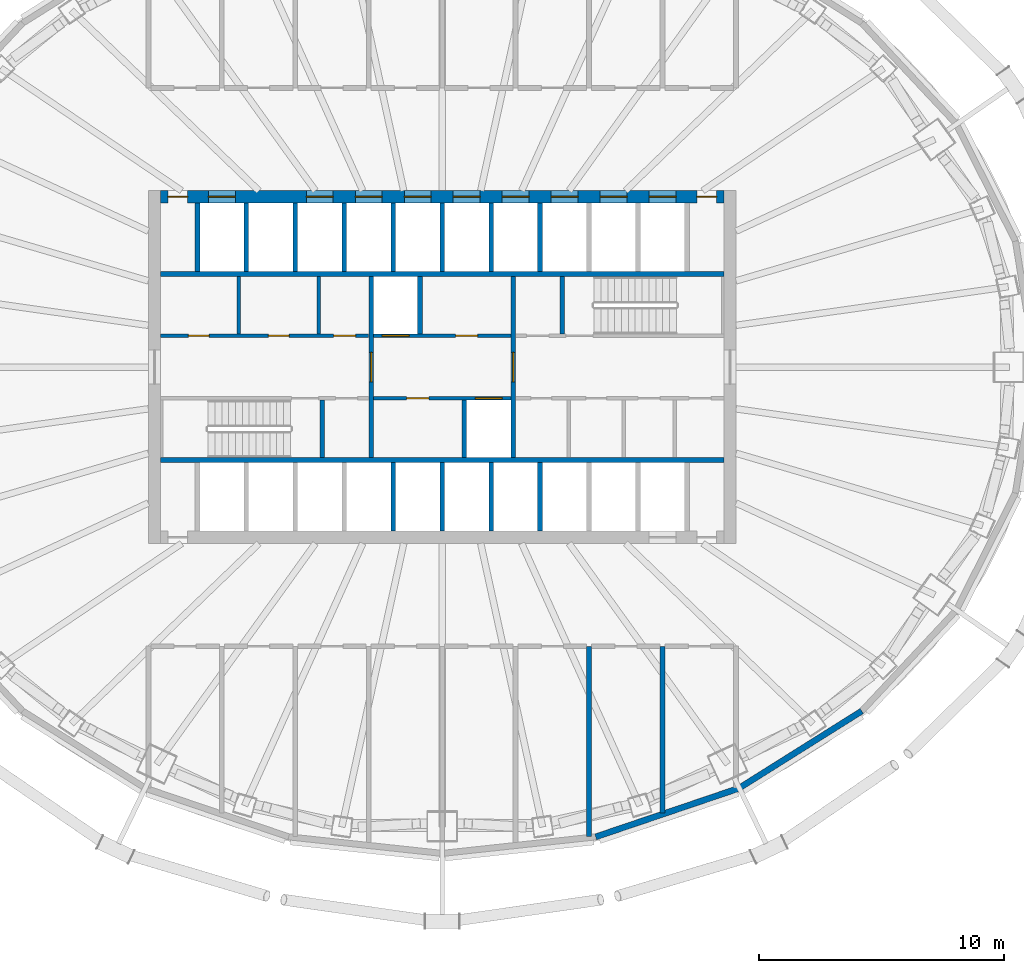
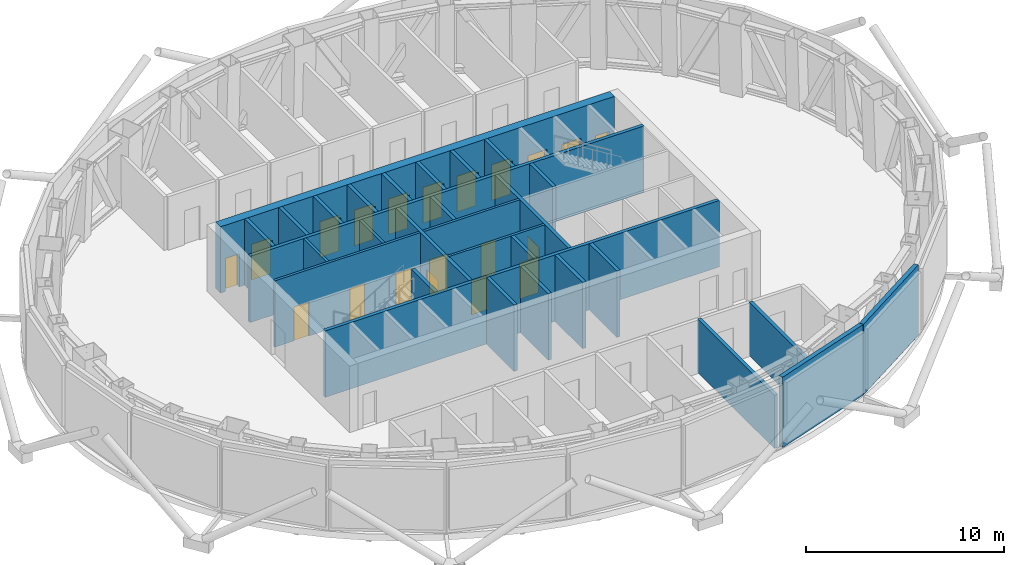
# One storey, part 6 of 16: 30 walls, 20 doors, 20 openings.
"""IFC4 building model written with IfcOpenShell, lengths in metres."""

from ifc_helpers import new_model, si_unit, direction, frame, frame_2d, origin, place, context, subcontext, project, spatial, rectangle, extrude, material, layer, layer_set, type_object, element, fill, save


model = new_model("IFC4")

# Units and contexts
model_context = context("Model", 3, precision=1e-05, world=origin(), true_north=direction((0.0, 1.0)))
body_context = subcontext(model_context, "Body", "Model", "MODEL_VIEW")
ifc_project = project(units=[si_unit("LENGTHUNIT", "METRE"), si_unit("AREAUNIT", "SQUARE_METRE"), si_unit("VOLUMEUNIT", "CUBIC_METRE"), si_unit("PLANEANGLEUNIT", "RADIAN"), si_unit("MASSUNIT", "GRAM", prefix="KILO")], contexts=[model_context])

# Site, building, storey
site_placement = place(None, origin())
site = spatial("IfcSite", under=ifc_project, at=site_placement, CompositionType="ELEMENT")
building_placement = place(site_placement, origin())
building = spatial("IfcBuilding", under=site, at=building_placement, Name="Siaravel Broadcast Tower", CompositionType="ELEMENT")
storey_placement = place(building_placement, frame((0.0, 0.0, 152.60009765625)))
storey = spatial("IfcBuildingStorey", under=building, at=storey_placement, Name="L36", CompositionType="ELEMENT", Elevation=152.60009765625)

# Walls
ifc_material_1 = material(Name="Concrete blockwork", Category="masonry")
ifc_layer_1 = layer(ifc_material_1, 0.14990234375)
ifc_layer_set_1 = layer_set([ifc_layer_1], Name="Concrete blockwork")
wall_type_1 = type_object("IfcWallType", Name="Core partition 150", PredefinedType="PARTITIONING", material=ifc_layer_set_1)
for number, where, z_axis, x_axis, name in (
    (1, (-8.30908203125, 1.35009765625, 0.0), (0.0, 0.0, 1.0), (0.0, 1.0, 0.0), "L36 core partition PNW0"),
    (2, (-5.04296875, 1.35009765625, 0.0), (0.0, 0.0, 1.0), (0.0, 1.0, 0.0), "L36 core partition PNW1"),
):
    element("IfcWall", number, at=place(storey_placement, frame(where, z_axis=z_axis, x_axis=x_axis)), inside=storey, type_object=wall_type_1, Name=name, PredefinedType="PARTITIONING", context=body_context, shape_type="SweptSolid", body=[
        extrude(rectangle(XDim=2.349853515625, YDim=0.14990234375, at=frame_2d((1.1748046875, 0.0))), origin(), (0.0, 0.0, 1.0), 4.099853515625),
    ])

# Wall, openings, doors
ifc_material_2 = material(Name="Concrete C60/75", Category="concrete")
ifc_layer_2 = layer(ifc_material_2, 0.5)
ifc_layer_set_2 = layer_set([ifc_layer_2], Name="Concrete C60/75")
wall_type_2 = type_object("IfcWallType", Name="Core wall 500", PredefinedType="SHEAR", material=ifc_layer_set_2)
wall_1_placement = place(storey_placement, frame((-11.5, 6.949951171875, 0.0), z_axis=(0.0, 0.0, 1.0), x_axis=(1.0, 0.0, 0.0)))
wall_1 = element("IfcWall", 3, at=wall_1_placement, inside=storey, type_object=wall_type_2, Name="L36 core wall ON", PredefinedType="SHEAR", context=body_context, shape_type="SweptSolid", body=[
    extrude(rectangle(XDim=23.0, YDim=0.5, at=frame_2d((11.5, 0.0))), origin(), (0.0, 0.0, 1.0), 4.099853515625),
])
opening_1_placement = place(wall_1_placement, frame((1.949951171875, 0.0, 0.0)))
opening_1 = element("IfcOpeningElement", 4, at=opening_1_placement, cuts=wall_1, Name="Opening LD-SV2-L36", PredefinedType="OPENING", context=body_context, shape_type="SweptSolid", body=[
    extrude(rectangle(XDim=1.10009765625, YDim=2.199951171875, at=frame_2d((0.550048828125, 1.10009765625))), frame((0.0, 0.260009765625, 0.0), z_axis=(0.0, -1.0, 0.0), x_axis=(1.0, 0.0, 0.0)), (0.0, 0.0, 1.0), 0.52001953125),
])
opening_2_placement = place(wall_1_placement, frame((5.949951171875, 0.0, 0.0)))
opening_2 = element("IfcOpeningElement", 5, at=opening_2_placement, cuts=wall_1, Name="Opening LD-HP1-L36", PredefinedType="OPENING", context=body_context, shape_type="SweptSolid", body=[
    extrude(rectangle(XDim=1.10009765625, YDim=2.199951171875, at=frame_2d((0.550048828125, 1.10009765625))), frame((0.0, 0.260009765625, 0.0), z_axis=(0.0, -1.0, 0.0), x_axis=(1.0, 0.0, 0.0)), (0.0, 0.0, 1.0), 0.52001953125),
])
opening_3_placement = place(wall_1_placement, frame((7.949951171875, 0.0, 0.0)))
opening_3 = element("IfcOpeningElement", 6, at=opening_3_placement, cuts=wall_1, Name="Opening LD-HP2-L36", PredefinedType="OPENING", context=body_context, shape_type="SweptSolid", body=[
    extrude(rectangle(XDim=1.10009765625, YDim=2.199951171875, at=frame_2d((0.550048828125, 1.10009765625))), frame((0.0, 0.260009765625, 0.0), z_axis=(0.0, -1.0, 0.0), x_axis=(1.0, 0.0, 0.0)), (0.0, 0.0, 1.0), 0.52001953125),
])
opening_4_placement = place(wall_1_placement, frame((9.949951171875, 0.0, 0.0)))
opening_4 = element("IfcOpeningElement", 7, at=opening_4_placement, cuts=wall_1, Name="Opening LD-HP3-L36", PredefinedType="OPENING", context=body_context, shape_type="SweptSolid", body=[
    extrude(rectangle(XDim=1.10009765625, YDim=2.199951171875, at=frame_2d((0.550048828125, 1.10009765625))), frame((0.0, 0.260009765625, 0.0), z_axis=(0.0, -1.0, 0.0), x_axis=(1.0, 0.0, 0.0)), (0.0, 0.0, 1.0), 0.52001953125),
])
opening_5_placement = place(wall_1_placement, frame((11.949951171875, 0.0, 0.0)))
opening_5 = element("IfcOpeningElement", 8, at=opening_5_placement, cuts=wall_1, Name="Opening LD-HP4-L36", PredefinedType="OPENING", context=body_context, shape_type="SweptSolid", body=[
    extrude(rectangle(XDim=1.10009765625, YDim=2.199951171875, at=frame_2d((0.550048828125, 1.10009765625))), frame((0.0, 0.260009765625, 0.0), z_axis=(0.0, -1.0, 0.0), x_axis=(1.0, 0.0, 0.0)), (0.0, 0.0, 1.0), 0.52001953125),
])
opening_6_placement = place(wall_1_placement, frame((13.949951171875, 0.0, 0.0)))
opening_6 = element("IfcOpeningElement", 9, at=opening_6_placement, cuts=wall_1, Name="Opening LD-HP5-L36", PredefinedType="OPENING", context=body_context, shape_type="SweptSolid", body=[
    extrude(rectangle(XDim=1.10009765625, YDim=2.199951171875, at=frame_2d((0.550048828125, 1.10009765625))), frame((0.0, 0.260009765625, 0.0), z_axis=(0.0, -1.0, 0.0), x_axis=(1.0, 0.0, 0.0)), (0.0, 0.0, 1.0), 0.52001953125),
])
opening_7_placement = place(wall_1_placement, frame((15.949951171875, 0.0, 0.0)))
opening_7 = element("IfcOpeningElement", 10, at=opening_7_placement, cuts=wall_1, Name="Opening LD-HP6-L36", PredefinedType="OPENING", context=body_context, shape_type="SweptSolid", body=[
    extrude(rectangle(XDim=1.10009765625, YDim=2.199951171875, at=frame_2d((0.550048828125, 1.10009765625))), frame((0.0, 0.260009765625, 0.0), z_axis=(0.0, -1.0, 0.0), x_axis=(1.0, 0.0, 0.0)), (0.0, 0.0, 1.0), 0.52001953125),
])
opening_8_placement = place(wall_1_placement, frame((17.949951171875, 0.0, 0.0)))
opening_8 = element("IfcOpeningElement", 11, at=opening_8_placement, cuts=wall_1, Name="Opening LD-HP7-L36", PredefinedType="OPENING", context=body_context, shape_type="SweptSolid", body=[
    extrude(rectangle(XDim=1.10009765625, YDim=2.199951171875, at=frame_2d((0.550048828125, 1.10009765625))), frame((0.0, 0.260009765625, 0.0), z_axis=(0.0, -1.0, 0.0), x_axis=(1.0, 0.0, 0.0)), (0.0, 0.0, 1.0), 0.52001953125),
])
opening_9_placement = place(wall_1_placement, frame((19.949951171875, 0.0, 0.0)))
opening_9 = element("IfcOpeningElement", 12, at=opening_9_placement, cuts=wall_1, Name="Opening LD-HP8-L36", PredefinedType="OPENING", context=body_context, shape_type="SweptSolid", body=[
    extrude(rectangle(XDim=1.10009765625, YDim=2.199951171875, at=frame_2d((0.550048828125, 1.10009765625))), frame((0.0, 0.260009765625, 0.0), z_axis=(0.0, -1.0, 0.0), x_axis=(1.0, 0.0, 0.0)), (0.0, 0.0, 1.0), 0.52001953125),
])
opening_10_placement = place(wall_1_placement, frame((0.300048828125, 0.0, 0.0)))
opening_10 = element("IfcOpeningElement", 13, at=opening_10_placement, cuts=wall_1, Name="Opening L36-DRNW", PredefinedType="OPENING", context=body_context, shape_type="SweptSolid", body=[
    extrude(rectangle(XDim=0.800048828125, YDim=2.050048828125, at=frame_2d((0.39990234375, 1.02490234375))), frame((0.0, 0.260009765625, 0.0), z_axis=(0.0, -1.0, 0.0), x_axis=(1.0, 0.0, 0.0)), (0.0, 0.0, 1.0), 0.52001953125),
])
opening_11_placement = place(wall_1_placement, frame((21.89990234375, 0.0, 0.0)))
opening_11 = element("IfcOpeningElement", 14, at=opening_11_placement, cuts=wall_1, Name="Opening L36-DRNE", PredefinedType="OPENING", context=body_context, shape_type="SweptSolid", body=[
    extrude(rectangle(XDim=0.800048828125, YDim=2.050048828125, at=frame_2d((0.39990234375, 1.02490234375))), frame((0.0, 0.260009765625, 0.0), z_axis=(0.0, -1.0, 0.0), x_axis=(1.0, 0.0, 0.0)), (0.0, 0.0, 1.0), 0.52001953125),
])
ifc_material_3 = material(Name="Stainless steel 316L", Category="steel")
door_type_1 = type_object("IfcDoorType", Name="Lift landing door 1100", OperationType="DOUBLE_DOOR_SLIDING", PredefinedType="DOOR", material=ifc_material_3)
door_1_placement = place(opening_2_placement, origin())
door_1 = element("IfcDoor", 15, at=door_1_placement, inside=storey, type_object=door_type_1, Name="Landing door HP1 L36", OperationType="DOUBLE_DOOR_SLIDING", OverallHeight=2.199951171875, OverallWidth=1.10009765625, PredefinedType="DOOR", context=body_context, shape_type="SweptSolid", body=[
    extrude(rectangle(XDim=1.10009765625, YDim=2.199951171875, at=frame_2d((0.550048828125, 1.10009765625))), frame((0.0, 0.02490234375, 0.0), z_axis=(0.0, -1.0, 0.0), x_axis=(1.0, 0.0, 0.0)), (0.0, 0.0, 1.0), 0.050048828125),
])
fill(opening_2, door_1)
door_2_placement = place(opening_3_placement, origin())
door_2 = element("IfcDoor", 16, at=door_2_placement, inside=storey, type_object=door_type_1, Name="Landing door HP2 L36", OperationType="DOUBLE_DOOR_SLIDING", OverallHeight=2.199951171875, OverallWidth=1.10009765625, PredefinedType="DOOR", context=body_context, shape_type="SweptSolid", body=[
    extrude(rectangle(XDim=1.10009765625, YDim=2.199951171875, at=frame_2d((0.550048828125, 1.10009765625))), frame((0.0, 0.02490234375, 0.0), z_axis=(0.0, -1.0, 0.0), x_axis=(1.0, 0.0, 0.0)), (0.0, 0.0, 1.0), 0.050048828125),
])
fill(opening_3, door_2)
door_3_placement = place(opening_4_placement, origin())
door_3 = element("IfcDoor", 17, at=door_3_placement, inside=storey, type_object=door_type_1, Name="Landing door HP3 L36", OperationType="DOUBLE_DOOR_SLIDING", OverallHeight=2.199951171875, OverallWidth=1.10009765625, PredefinedType="DOOR", context=body_context, shape_type="SweptSolid", body=[
    extrude(rectangle(XDim=1.10009765625, YDim=2.199951171875, at=frame_2d((0.550048828125, 1.10009765625))), frame((0.0, 0.02490234375, 0.0), z_axis=(0.0, -1.0, 0.0), x_axis=(1.0, 0.0, 0.0)), (0.0, 0.0, 1.0), 0.050048828125),
])
fill(opening_4, door_3)
door_4_placement = place(opening_5_placement, origin())
door_4 = element("IfcDoor", 18, at=door_4_placement, inside=storey, type_object=door_type_1, Name="Landing door HP4 L36", OperationType="DOUBLE_DOOR_SLIDING", OverallHeight=2.199951171875, OverallWidth=1.10009765625, PredefinedType="DOOR", context=body_context, shape_type="SweptSolid", body=[
    extrude(rectangle(XDim=1.10009765625, YDim=2.199951171875, at=frame_2d((0.550048828125, 1.10009765625))), frame((0.0, 0.02490234375, 0.0), z_axis=(0.0, -1.0, 0.0), x_axis=(1.0, 0.0, 0.0)), (0.0, 0.0, 1.0), 0.050048828125),
])
fill(opening_5, door_4)
door_5_placement = place(opening_6_placement, origin())
door_5 = element("IfcDoor", 19, at=door_5_placement, inside=storey, type_object=door_type_1, Name="Landing door HP5 L36", OperationType="DOUBLE_DOOR_SLIDING", OverallHeight=2.199951171875, OverallWidth=1.10009765625, PredefinedType="DOOR", context=body_context, shape_type="SweptSolid", body=[
    extrude(rectangle(XDim=1.10009765625, YDim=2.199951171875, at=frame_2d((0.550048828125, 1.10009765625))), frame((0.0, 0.02490234375, 0.0), z_axis=(0.0, -1.0, 0.0), x_axis=(1.0, 0.0, 0.0)), (0.0, 0.0, 1.0), 0.050048828125),
])
fill(opening_6, door_5)
door_6_placement = place(opening_7_placement, origin())
door_6 = element("IfcDoor", 20, at=door_6_placement, inside=storey, type_object=door_type_1, Name="Landing door HP6 L36", OperationType="DOUBLE_DOOR_SLIDING", OverallHeight=2.199951171875, OverallWidth=1.10009765625, PredefinedType="DOOR", context=body_context, shape_type="SweptSolid", body=[
    extrude(rectangle(XDim=1.10009765625, YDim=2.199951171875, at=frame_2d((0.550048828125, 1.10009765625))), frame((0.0, 0.02490234375, 0.0), z_axis=(0.0, -1.0, 0.0), x_axis=(1.0, 0.0, 0.0)), (0.0, 0.0, 1.0), 0.050048828125),
])
fill(opening_7, door_6)
door_7_placement = place(opening_8_placement, origin())
door_7 = element("IfcDoor", 21, at=door_7_placement, inside=storey, type_object=door_type_1, Name="Landing door HP7 L36", OperationType="DOUBLE_DOOR_SLIDING", OverallHeight=2.199951171875, OverallWidth=1.10009765625, PredefinedType="DOOR", context=body_context, shape_type="SweptSolid", body=[
    extrude(rectangle(XDim=1.10009765625, YDim=2.199951171875, at=frame_2d((0.550048828125, 1.10009765625))), frame((0.0, 0.02490234375, 0.0), z_axis=(0.0, -1.0, 0.0), x_axis=(1.0, 0.0, 0.0)), (0.0, 0.0, 1.0), 0.050048828125),
])
fill(opening_8, door_7)
door_8_placement = place(opening_9_placement, origin())
door_8 = element("IfcDoor", 22, at=door_8_placement, inside=storey, type_object=door_type_1, Name="Landing door HP8 L36", OperationType="DOUBLE_DOOR_SLIDING", OverallHeight=2.199951171875, OverallWidth=1.10009765625, PredefinedType="DOOR", context=body_context, shape_type="SweptSolid", body=[
    extrude(rectangle(XDim=1.10009765625, YDim=2.199951171875, at=frame_2d((0.550048828125, 1.10009765625))), frame((0.0, 0.02490234375, 0.0), z_axis=(0.0, -1.0, 0.0), x_axis=(1.0, 0.0, 0.0)), (0.0, 0.0, 1.0), 0.050048828125),
])
fill(opening_9, door_8)
ifc_material_4 = material(Name="Steel", Category="steel")
door_type_2 = type_object("IfcDoorType", Name="Riser door 800", OperationType="SINGLE_SWING_LEFT", PredefinedType="DOOR", material=ifc_material_4)
door_9_placement = place(opening_10_placement, origin())
door_9 = element("IfcDoor", 23, at=door_9_placement, inside=storey, type_object=door_type_2, Name="L36 door DRNW", OperationType="SINGLE_SWING_LEFT", OverallHeight=2.050048828125, OverallWidth=0.800048828125, PredefinedType="DOOR", context=body_context, shape_type="SweptSolid", body=[
    extrude(rectangle(XDim=0.800048828125, YDim=2.050048828125, at=frame_2d((0.39990234375, 1.02490234375))), frame((0.0, 0.02490234375, 0.0), z_axis=(0.0, -1.0, 0.0), x_axis=(1.0, 0.0, 0.0)), (0.0, 0.0, 1.0), 0.050048828125),
])
fill(opening_10, door_9)
door_10_placement = place(opening_11_placement, origin())
door_10 = element("IfcDoor", 24, at=door_10_placement, inside=storey, type_object=door_type_2, Name="L36 door DRNE", OperationType="SINGLE_SWING_LEFT", OverallHeight=2.050048828125, OverallWidth=0.800048828125, PredefinedType="DOOR", context=body_context, shape_type="SweptSolid", body=[
    extrude(rectangle(XDim=0.800048828125, YDim=2.050048828125, at=frame_2d((0.39990234375, 1.02490234375))), frame((0.0, 0.02490234375, 0.0), z_axis=(0.0, -1.0, 0.0), x_axis=(1.0, 0.0, 0.0)), (0.0, 0.0, 1.0), 0.050048828125),
])
fill(opening_11, door_10)
door_type_3 = type_object("IfcDoorType", Name="Service lift landing door 1100", OperationType="DOUBLE_DOOR_SLIDING", PredefinedType="DOOR", material=ifc_material_3)
door_11_placement = place(opening_1_placement, origin())
door_11 = element("IfcDoor", 25, at=door_11_placement, inside=storey, type_object=door_type_3, Name="Landing door SV2 L36", OperationType="DOUBLE_DOOR_SLIDING", OverallHeight=2.199951171875, OverallWidth=1.10009765625, PredefinedType="DOOR", context=body_context, shape_type="SweptSolid", body=[
    extrude(rectangle(XDim=1.10009765625, YDim=2.199951171875, at=frame_2d((0.550048828125, 1.10009765625))), frame((0.0, 0.02490234375, 0.0), z_axis=(0.0, -1.0, 0.0), x_axis=(1.0, 0.0, 0.0)), (0.0, 0.0, 1.0), 0.050048828125),
])
fill(opening_1, door_11)

ifc_material_5 = material(Name="Gypsum board partition", Category="gypsum")
ifc_layer_3 = layer(ifc_material_5, 0.14990234375)
ifc_layer_set_3 = layer_set([ifc_layer_3], Name="Gypsum board partition")
wall_type_3 = type_object("IfcWallType", Name="Corridor wall 150", PredefinedType="PARTITIONING", material=ifc_layer_set_3)
wall_2_placement = place(storey_placement, frame((-11.5, 1.27490234375, 0.0), z_axis=(0.0, 0.0, 1.0), x_axis=(1.0, 0.0, 0.0)))
wall_2 = element("IfcWall", 26, at=wall_2_placement, inside=storey, type_object=wall_type_3, Name="L36 core partition CNW", PredefinedType="PARTITIONING", context=body_context, shape_type="SweptSolid", body=[
    extrude(rectangle(XDim=8.5, YDim=0.14990234375, at=frame_2d((4.25, 0.0))), origin(), (0.0, 0.0, 1.0), 4.099853515625),
])
opening_12_placement = place(wall_2_placement, frame((1.133056640625, 0.0, 0.0)))
opening_12 = element("IfcOpeningElement", 27, at=opening_12_placement, cuts=wall_2, Name="Opening L36-DNW0", PredefinedType="OPENING", context=body_context, shape_type="SweptSolid", body=[
    extrude(rectangle(XDim=0.85009765625, YDim=2.10009765625, at=frame_2d((0.425048828125, 1.050048828125))), frame((0.0, 0.0849609375, 0.0), z_axis=(0.0, -1.0, 0.0), x_axis=(1.0, 0.0, 0.0)), (0.0, 0.0, 1.0), 0.169921875),
])
opening_13_placement = place(wall_2_placement, frame((4.39892578125, 0.0, 0.0)))
opening_13 = element("IfcOpeningElement", 28, at=opening_13_placement, cuts=wall_2, Name="Opening L36-DNW1", PredefinedType="OPENING", context=body_context, shape_type="SweptSolid", body=[
    extrude(rectangle(XDim=0.85009765625, YDim=2.10009765625, at=frame_2d((0.425048828125, 1.050048828125))), frame((0.0, 0.0849609375, 0.0), z_axis=(0.0, -1.0, 0.0), x_axis=(1.0, 0.0, 0.0)), (0.0, 0.0, 1.0), 0.169921875),
])
opening_14_placement = place(wall_2_placement, frame((7.06591796875, 0.0, 0.0)))
opening_14 = element("IfcOpeningElement", 29, at=opening_14_placement, cuts=wall_2, Name="Opening L36-DNW2", PredefinedType="OPENING", context=body_context, shape_type="SweptSolid", body=[
    extrude(rectangle(XDim=0.89990234375, YDim=2.10009765625, at=frame_2d((0.449951171875, 1.050048828125))), frame((0.0, 0.0849609375, 0.0), z_axis=(0.0, -1.0, 0.0), x_axis=(1.0, 0.0, 0.0)), (0.0, 0.0, 1.0), 0.169921875),
])
ifc_material_6 = material(Name="Timber veneer", Category="wood")
door_type_4 = type_object("IfcDoorType", Name="Core room door 900", OperationType="SINGLE_SWING_LEFT", PredefinedType="DOOR", material=ifc_material_6)
door_12_placement = place(opening_14_placement, origin())
door_12 = element("IfcDoor", 30, at=door_12_placement, inside=storey, type_object=door_type_4, Name="L36 door DNW2", OperationType="SINGLE_SWING_LEFT", OverallHeight=2.10009765625, OverallWidth=0.89990234375, PredefinedType="DOOR", context=body_context, shape_type="SweptSolid", body=[
    extrude(rectangle(XDim=0.89990234375, YDim=2.10009765625, at=frame_2d((0.449951171875, 1.050048828125))), frame((0.0, 0.02490234375, 0.0), z_axis=(0.0, -1.0, 0.0), x_axis=(1.0, 0.0, 0.0)), (0.0, 0.0, 1.0), 0.050048828125),
])
fill(opening_14, door_12)
door_type_5 = type_object("IfcDoorType", Name="Core toilet door 850", OperationType="SINGLE_SWING_LEFT", PredefinedType="DOOR", material=ifc_material_6)
door_13_placement = place(opening_12_placement, origin())
door_13 = element("IfcDoor", 31, at=door_13_placement, inside=storey, type_object=door_type_5, Name="L36 door DNW0", OperationType="SINGLE_SWING_LEFT", OverallHeight=2.10009765625, OverallWidth=0.85009765625, PredefinedType="DOOR", context=body_context, shape_type="SweptSolid", body=[
    extrude(rectangle(XDim=0.85009765625, YDim=2.10009765625, at=frame_2d((0.425048828125, 1.050048828125))), frame((0.0, 0.02490234375, 0.0), z_axis=(0.0, -1.0, 0.0), x_axis=(1.0, 0.0, 0.0)), (0.0, 0.0, 1.0), 0.050048828125),
])
fill(opening_12, door_13)
door_14_placement = place(opening_13_placement, origin())
door_14 = element("IfcDoor", 32, at=door_14_placement, inside=storey, type_object=door_type_5, Name="L36 door DNW1", OperationType="SINGLE_SWING_LEFT", OverallHeight=2.10009765625, OverallWidth=0.85009765625, PredefinedType="DOOR", context=body_context, shape_type="SweptSolid", body=[
    extrude(rectangle(XDim=0.85009765625, YDim=2.10009765625, at=frame_2d((0.425048828125, 1.050048828125))), frame((0.0, 0.02490234375, 0.0), z_axis=(0.0, -1.0, 0.0), x_axis=(1.0, 0.0, 0.0)), (0.0, 0.0, 1.0), 0.050048828125),
])
fill(opening_13, door_14)

# Walls
ifc_layer_4 = layer(ifc_material_1, 0.199951171875)
ifc_layer_set_4 = layer_set([ifc_layer_4], Name="Concrete blockwork")
wall_type_4 = type_object("IfcWallType", Name="Plant room wall 200", PredefinedType="PARTITIONING", material=ifc_layer_set_4)
wall_3_placement = place(storey_placement, frame((6.0, -19.161376953125, 0.0), z_axis=(0.0, 0.0, 1.0), x_axis=(0.0, 1.0, 0.0)))
element("IfcWall", 33, at=wall_3_placement, inside=storey, type_object=wall_type_4, Name="L36 partition 9", PredefinedType="PARTITIONING", context=body_context, shape_type="SweptSolid", body=[
    extrude(rectangle(XDim=7.761474609375, YDim=0.199951171875, at=frame_2d((3.880859375, 0.0))), origin(), (0.0, 0.0, 1.0), 3.2998046875),
])
wall_4_placement = place(storey_placement, frame((9.0, -18.205810546875, 0.0), z_axis=(0.0, 0.0, 1.0), x_axis=(0.0, 1.0, 0.0)))
element("IfcWall", 34, at=wall_4_placement, inside=storey, type_object=wall_type_4, Name="L36 partition 13", PredefinedType="PARTITIONING", context=body_context, shape_type="SweptSolid", body=[
    extrude(rectangle(XDim=6.805908203125, YDim=0.199951171875, at=frame_2d((3.40283203125, 0.0))), origin(), (0.0, 0.0, 1.0), 3.2998046875),
])
ifc_material_7 = material(Name="Concrete C40/50", Category="concrete")
ifc_layer_5 = layer(ifc_material_7, 0.25)
ifc_layer_set_5 = layer_set([ifc_layer_5], Name="Concrete C40/50")
wall_type_5 = type_object("IfcWallType", Name="Plant storey wall", PredefinedType="STANDARD", material=ifc_layer_set_5)
wall_5_placement = place(storey_placement, frame((6.269775390625, -19.182373046875, 0.0), z_axis=(0.0, 0.0, 1.0), x_axis=(0.946968166, 0.321327392, 0.0)))
element("IfcWall", 35, at=wall_5_placement, inside=storey, type_object=wall_type_5, Name="L36 plant storey wall 20", PredefinedType="STANDARD", context=body_context, shape_type="SweptSolid", body=[
    extrude(rectangle(XDim=6.170166015625, YDim=0.25, at=frame_2d((3.0849609375, 0.0))), origin(), (0.0, 0.0, 1.0), 4.349853515625),
])
wall_6_placement = place(storey_placement, frame((12.11279296875, -17.19970703125, 0.0), z_axis=(0.0, 0.0, 1.0), x_axis=(0.846665178, 0.532125996, 0.0)))
element("IfcWall", 36, at=wall_6_placement, inside=storey, type_object=wall_type_5, Name="L36 plant storey wall 21", PredefinedType="STANDARD", context=body_context, shape_type="SweptSolid", body=[
    extrude(rectangle(XDim=5.927734375, YDim=0.25, at=frame_2d((2.9638671875, 0.0))), origin(), (0.0, 0.0, 1.0), 4.349853515625),
])

# Wall, openings, doors
ifc_layer_6 = layer(ifc_material_2, 0.14990234375)
ifc_layer_set_6 = layer_set([ifc_layer_6], Name="Concrete C60/75")
wall_type_6 = type_object("IfcWallType", Name="Shaft wall 150", PredefinedType="SHEAR", material=ifc_layer_set_6)
wall_7_placement = place(storey_placement, frame((-2.800048828125, -1.27490234375, 0.0), z_axis=(0.0, 0.0, 1.0), x_axis=(1.0, 0.0, 0.0)))
wall_7 = element("IfcWall", 37, at=wall_7_placement, inside=storey, type_object=wall_type_6, Name="L36 core wall CSM", PredefinedType="SHEAR", context=body_context, shape_type="SweptSolid", body=[
    extrude(rectangle(XDim=5.60009765625, YDim=0.14990234375, at=frame_2d((2.800048828125, 0.0))), origin(), (0.0, 0.0, 1.0), 4.099853515625),
])
opening_15_placement = place(wall_7_placement, frame((4.14990234375, 0.0, 0.0)))
opening_15 = element("IfcOpeningElement", 38, at=opening_15_placement, cuts=wall_7, Name="Opening LD-FL2-L36", PredefinedType="OPENING", context=body_context, shape_type="SweptSolid", body=[
    extrude(rectangle(XDim=1.10009765625, YDim=2.199951171875, at=frame_2d((0.550048828125, 1.10009765625))), frame((0.0, 0.0849609375, 0.0), z_axis=(0.0, -1.0, 0.0), x_axis=(1.0, 0.0, 0.0)), (0.0, 0.0, 1.0), 0.169921875),
])
opening_16_placement = place(wall_7_placement, frame((1.35009765625, 0.0, 0.0)))
opening_16 = element("IfcOpeningElement", 39, at=opening_16_placement, cuts=wall_7, Name="Opening L36-DSM0", PredefinedType="OPENING", context=body_context, shape_type="SweptSolid", body=[
    extrude(rectangle(XDim=0.89990234375, YDim=2.10009765625, at=frame_2d((0.449951171875, 1.050048828125))), frame((0.0, 0.0849609375, 0.0), z_axis=(0.0, -1.0, 0.0), x_axis=(1.0, 0.0, 0.0)), (0.0, 0.0, 1.0), 0.169921875),
])
door_15_placement = place(opening_16_placement, origin())
door_15 = element("IfcDoor", 40, at=door_15_placement, inside=storey, type_object=door_type_4, Name="L36 door DSM0", OperationType="SINGLE_SWING_LEFT", OverallHeight=2.10009765625, OverallWidth=0.89990234375, PredefinedType="DOOR", context=body_context, shape_type="SweptSolid", body=[
    extrude(rectangle(XDim=0.89990234375, YDim=2.10009765625, at=frame_2d((0.449951171875, 1.050048828125))), frame((0.0, 0.02490234375, 0.0), z_axis=(0.0, -1.0, 0.0), x_axis=(1.0, 0.0, 0.0)), (0.0, 0.0, 1.0), 0.050048828125),
])
fill(opening_16, door_15)
door_type_6 = type_object("IfcDoorType", Name="Firefighting lift landing door 1100", OperationType="DOUBLE_DOOR_SLIDING", PredefinedType="DOOR", material=ifc_material_3)
door_16_placement = place(opening_15_placement, origin())
door_16 = element("IfcDoor", 41, at=door_16_placement, inside=storey, type_object=door_type_6, Name="Landing door FL2 L36", OperationType="DOUBLE_DOOR_SLIDING", OverallHeight=2.199951171875, OverallWidth=1.10009765625, PredefinedType="DOOR", context=body_context, shape_type="SweptSolid", body=[
    extrude(rectangle(XDim=1.10009765625, YDim=2.199951171875, at=frame_2d((0.550048828125, 1.10009765625))), frame((0.0, 0.02490234375, 0.0), z_axis=(0.0, -1.0, 0.0), x_axis=(1.0, 0.0, 0.0)), (0.0, 0.0, 1.0), 0.050048828125),
])
fill(opening_15, door_16)

wall_8_placement = place(storey_placement, frame((-2.800048828125, 1.27490234375, 0.0), z_axis=(0.0, 0.0, 1.0), x_axis=(1.0, 0.0, 0.0)))
wall_8 = element("IfcWall", 42, at=wall_8_placement, inside=storey, type_object=wall_type_6, Name="L36 core wall CNM", PredefinedType="SHEAR", context=body_context, shape_type="SweptSolid", body=[
    extrude(rectangle(XDim=5.60009765625, YDim=0.14990234375, at=frame_2d((2.800048828125, 0.0))), origin(), (0.0, 0.0, 1.0), 4.099853515625),
])
opening_17_placement = place(wall_8_placement, frame((0.35009765625, 0.0, 0.0)))
opening_17 = element("IfcOpeningElement", 43, at=opening_17_placement, cuts=wall_8, Name="Opening LD-FL1-L36", PredefinedType="OPENING", context=body_context, shape_type="SweptSolid", body=[
    extrude(rectangle(XDim=1.10009765625, YDim=2.199951171875, at=frame_2d((0.550048828125, 1.10009765625))), frame((0.0, 0.0849609375, 0.0), z_axis=(0.0, -1.0, 0.0), x_axis=(1.0, 0.0, 0.0)), (0.0, 0.0, 1.0), 0.169921875),
])
opening_18_placement = place(wall_8_placement, frame((3.35009765625, 0.0, 0.0)))
opening_18 = element("IfcOpeningElement", 44, at=opening_18_placement, cuts=wall_8, Name="Opening L36-DNM0", PredefinedType="OPENING", context=body_context, shape_type="SweptSolid", body=[
    extrude(rectangle(XDim=0.89990234375, YDim=2.10009765625, at=frame_2d((0.449951171875, 1.050048828125))), frame((0.0, 0.0849609375, 0.0), z_axis=(0.0, -1.0, 0.0), x_axis=(1.0, 0.0, 0.0)), (0.0, 0.0, 1.0), 0.169921875),
])
door_17_placement = place(opening_18_placement, origin())
door_17 = element("IfcDoor", 45, at=door_17_placement, inside=storey, type_object=door_type_4, Name="L36 door DNM0", OperationType="SINGLE_SWING_LEFT", OverallHeight=2.10009765625, OverallWidth=0.89990234375, PredefinedType="DOOR", context=body_context, shape_type="SweptSolid", body=[
    extrude(rectangle(XDim=0.89990234375, YDim=2.10009765625, at=frame_2d((0.449951171875, 1.050048828125))), frame((0.0, 0.02490234375, 0.0), z_axis=(0.0, -1.0, 0.0), x_axis=(1.0, 0.0, 0.0)), (0.0, 0.0, 1.0), 0.050048828125),
])
fill(opening_18, door_17)
door_18_placement = place(opening_17_placement, origin())
door_18 = element("IfcDoor", 46, at=door_18_placement, inside=storey, type_object=door_type_6, Name="Landing door FL1 L36", OperationType="DOUBLE_DOOR_SLIDING", OverallHeight=2.199951171875, OverallWidth=1.10009765625, PredefinedType="DOOR", context=body_context, shape_type="SweptSolid", body=[
    extrude(rectangle(XDim=1.10009765625, YDim=2.199951171875, at=frame_2d((0.550048828125, 1.10009765625))), frame((0.0, 0.02490234375, 0.0), z_axis=(0.0, -1.0, 0.0), x_axis=(1.0, 0.0, 0.0)), (0.0, 0.0, 1.0), 0.050048828125),
])
fill(opening_17, door_18)

# Walls
ifc_layer_7 = layer(ifc_material_2, 0.199951171875)
ifc_layer_set_7 = layer_set([ifc_layer_7], Name="Concrete C60/75")
wall_type_7 = type_object("IfcWallType", Name="Shaft wall 200", PredefinedType="SHEAR", material=ifc_layer_set_7)
for number, where, z_axis, x_axis, name in (
    (47, (-11.5, -3.800048828125, 0.0), (0.0, 0.0, 1.0), (1.0, 0.0, 0.0), "L36 core wall BS"),
    (48, (-11.5, 3.800048828125, 0.0), (0.0, 0.0, 1.0), (1.0, 0.0, 0.0), "L36 core wall BN"),
):
    element("IfcWall", number, at=place(storey_placement, frame(where, z_axis=z_axis, x_axis=x_axis)), inside=storey, type_object=wall_type_7, Name=name, PredefinedType="SHEAR", context=body_context, shape_type="SweptSolid", body=[
        extrude(rectangle(XDim=23.0, YDim=0.199951171875, at=frame_2d((11.5, 0.0))), origin(), (0.0, 0.0, 1.0), 4.099853515625),
    ])
for number, where, z_axis, x_axis, name in (
    (49, (-2.0, -6.699951171875, 0.0), (0.0, 0.0, 1.0), (0.0, 1.0, 0.0), "L36 core wall SWS4"),
    (50, (0.0, -6.699951171875, 0.0), (0.0, 0.0, 1.0), (0.0, 1.0, 0.0), "L36 core wall SWS5"),
    (51, (2.0, -6.699951171875, 0.0), (0.0, 0.0, 1.0), (0.0, 1.0, 0.0), "L36 core wall SWS6"),
    (52, (4.0, -6.699951171875, 0.0), (0.0, 0.0, 1.0), (0.0, 1.0, 0.0), "L36 core wall SWS7"),
    (53, (-10.0, 3.89990234375, 0.0), (0.0, 0.0, 1.0), (0.0, 1.0, 0.0), "L36 core wall SWN0"),
    (54, (-8.0, 3.89990234375, 0.0), (0.0, 0.0, 1.0), (0.0, 1.0, 0.0), "L36 core wall SWN1"),
    (55, (-6.0, 3.89990234375, 0.0), (0.0, 0.0, 1.0), (0.0, 1.0, 0.0), "L36 core wall SWN2"),
    (56, (-4.0, 3.89990234375, 0.0), (0.0, 0.0, 1.0), (0.0, 1.0, 0.0), "L36 core wall SWN3"),
    (57, (-2.0, 3.89990234375, 0.0), (0.0, 0.0, 1.0), (0.0, 1.0, 0.0), "L36 core wall SWN4"),
    (58, (0.0, 3.89990234375, 0.0), (0.0, 0.0, 1.0), (0.0, 1.0, 0.0), "L36 core wall SWN5"),
    (59, (2.0, 3.89990234375, 0.0), (0.0, 0.0, 1.0), (0.0, 1.0, 0.0), "L36 core wall SWN6"),
    (60, (4.0, 3.89990234375, 0.0), (0.0, 0.0, 1.0), (0.0, 1.0, 0.0), "L36 core wall SWN7"),
):
    element("IfcWall", number, at=place(storey_placement, frame(where, z_axis=z_axis, x_axis=x_axis)), inside=storey, type_object=wall_type_7, Name=name, PredefinedType="SHEAR", context=body_context, shape_type="SweptSolid", body=[
        extrude(rectangle(XDim=2.800048828125, YDim=0.199951171875, at=frame_2d((1.39990234375, 0.0))), origin(), (0.0, 0.0, 1.0), 4.099853515625),
    ])

# Wall, opening, door
wall_9_placement = place(storey_placement, frame((-2.89990234375, -3.699951171875, 0.0), z_axis=(0.0, 0.0, 1.0), x_axis=(0.0, 1.0, 0.0)))
wall_9 = element("IfcWall", 61, at=wall_9_placement, inside=storey, type_object=wall_type_7, Name="L36 core wall LW", PredefinedType="SHEAR", context=body_context, shape_type="SweptSolid", body=[
    extrude(rectangle(XDim=7.39990234375, YDim=0.199951171875, at=frame_2d((3.699951171875, 0.0))), origin(), (0.0, 0.0, 1.0), 4.099853515625),
])
opening_19_placement = place(wall_9_placement, frame((3.10009765625, 0.0, 0.0)))
opening_19 = element("IfcOpeningElement", 62, at=opening_19_placement, cuts=wall_9, Name="Opening L36-DL-W", PredefinedType="OPENING", context=body_context, shape_type="SweptSolid", body=[
    extrude(rectangle(XDim=1.199951171875, YDim=2.199951171875, at=frame_2d((0.60009765625, 1.10009765625))), frame((0.0, 0.10986328125, 0.0), z_axis=(0.0, -1.0, 0.0), x_axis=(1.0, 0.0, 0.0)), (0.0, 0.0, 1.0), 0.219970703125),
])
door_type_7 = type_object("IfcDoorType", Name="Firefighting lobby door 1200", OperationType="SINGLE_SWING_LEFT", PredefinedType="DOOR", material=ifc_material_4)
door_19_placement = place(opening_19_placement, origin())
door_19 = element("IfcDoor", 63, at=door_19_placement, inside=storey, type_object=door_type_7, Name="L36 door DL-W", OperationType="SINGLE_SWING_LEFT", OverallHeight=2.199951171875, OverallWidth=1.199951171875, PredefinedType="DOOR", context=body_context, shape_type="SweptSolid", body=[
    extrude(rectangle(XDim=1.199951171875, YDim=2.199951171875, at=frame_2d((0.60009765625, 1.10009765625))), frame((0.0, 0.02490234375, 0.0), z_axis=(0.0, -1.0, 0.0), x_axis=(1.0, 0.0, 0.0)), (0.0, 0.0, 1.0), 0.050048828125),
])
fill(opening_19, door_19)

wall_10_placement = place(storey_placement, frame((2.89990234375, -3.699951171875, 0.0), z_axis=(0.0, 0.0, 1.0), x_axis=(0.0, 1.0, 0.0)))
wall_10 = element("IfcWall", 64, at=wall_10_placement, inside=storey, type_object=wall_type_7, Name="L36 core wall LE", PredefinedType="SHEAR", context=body_context, shape_type="SweptSolid", body=[
    extrude(rectangle(XDim=7.39990234375, YDim=0.199951171875, at=frame_2d((3.699951171875, 0.0))), origin(), (0.0, 0.0, 1.0), 4.099853515625),
])
opening_20_placement = place(wall_10_placement, frame((3.10009765625, 0.0, 0.0)))
opening_20 = element("IfcOpeningElement", 65, at=opening_20_placement, cuts=wall_10, Name="Opening L36-DL-E", PredefinedType="OPENING", context=body_context, shape_type="SweptSolid", body=[
    extrude(rectangle(XDim=1.199951171875, YDim=2.199951171875, at=frame_2d((0.60009765625, 1.10009765625))), frame((0.0, 0.10986328125, 0.0), z_axis=(0.0, -1.0, 0.0), x_axis=(1.0, 0.0, 0.0)), (0.0, 0.0, 1.0), 0.219970703125),
])
door_20_placement = place(opening_20_placement, origin())
door_20 = element("IfcDoor", 66, at=door_20_placement, inside=storey, type_object=door_type_7, Name="L36 door DL-E", OperationType="SINGLE_SWING_LEFT", OverallHeight=2.199951171875, OverallWidth=1.199951171875, PredefinedType="DOOR", context=body_context, shape_type="SweptSolid", body=[
    extrude(rectangle(XDim=1.199951171875, YDim=2.199951171875, at=frame_2d((0.60009765625, 1.10009765625))), frame((0.0, 0.02490234375, 0.0), z_axis=(0.0, -1.0, 0.0), x_axis=(1.0, 0.0, 0.0)), (0.0, 0.0, 1.0), 0.050048828125),
])
fill(opening_20, door_20)

# Walls
for number, where, z_axis, x_axis, name in (
    (67, (-0.89990234375, 1.35009765625, 0.0), (0.0, 0.0, 1.0), (0.0, 1.0, 0.0), "L36 core wall FF1E"),
    (68, (0.89990234375, -3.699951171875, 0.0), (0.0, 0.0, 1.0), (0.0, 1.0, 0.0), "L36 core wall FF2W"),
    (69, (-4.89990234375, -3.699951171875, 0.0), (0.0, 0.0, 1.0), (0.0, 1.0, 0.0), "L36 core wall ST1E"),
    (70, (4.89990234375, 1.35009765625, 0.0), (0.0, 0.0, 1.0), (0.0, 1.0, 0.0), "L36 core wall ST2W"),
):
    element("IfcWall", number, at=place(storey_placement, frame(where, z_axis=z_axis, x_axis=x_axis)), inside=storey, type_object=wall_type_7, Name=name, PredefinedType="SHEAR", context=body_context, shape_type="SweptSolid", body=[
        extrude(rectangle(XDim=2.349853515625, YDim=0.199951171875, at=frame_2d((1.1748046875, 0.0))), origin(), (0.0, 0.0, 1.0), 4.099853515625),
    ])

save(model, "model.ifc")
